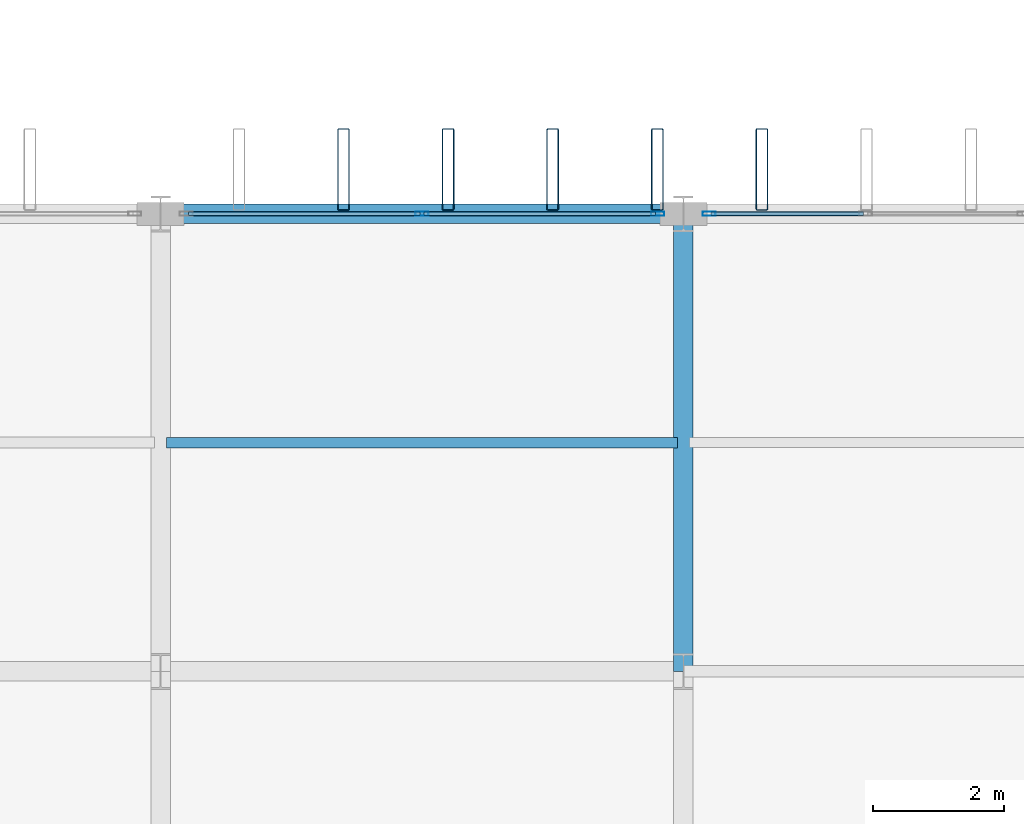
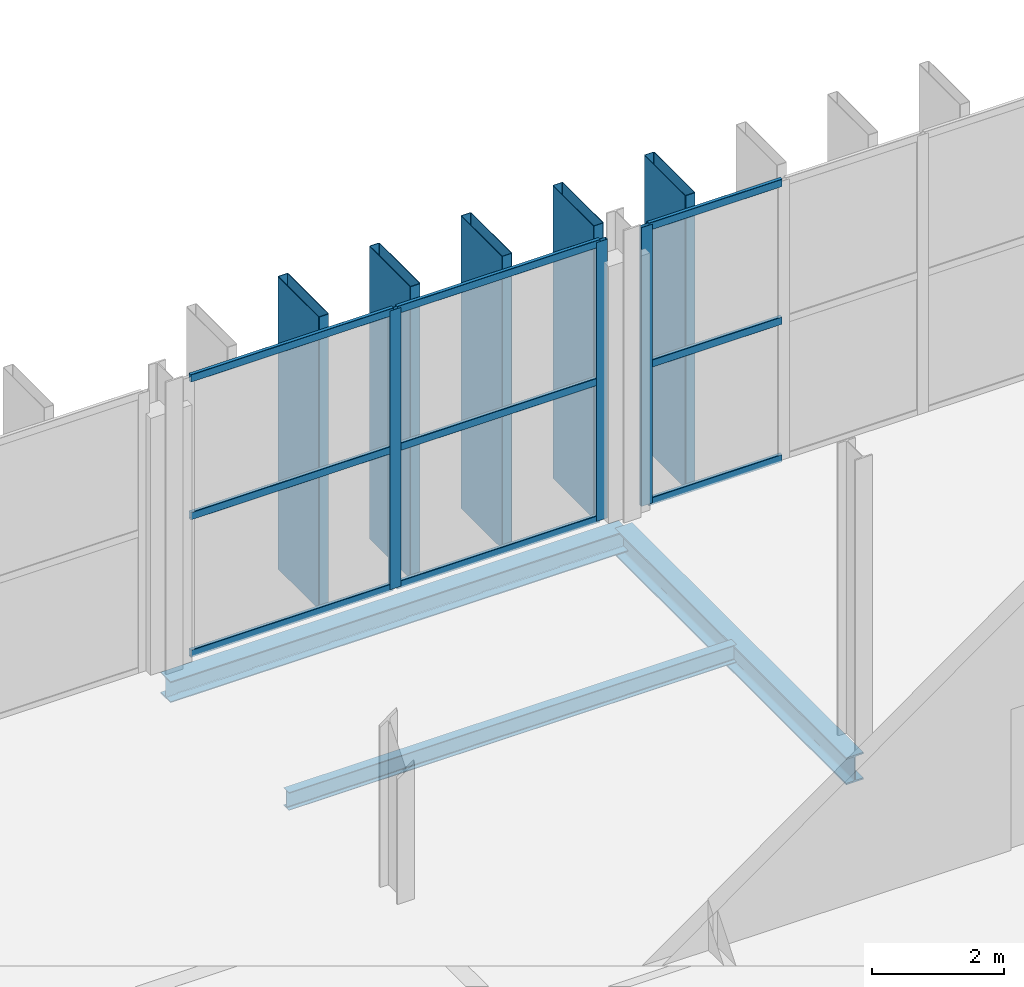
# One storey, part 63 of 147: 17 members, 3 beams, 2 elements without a shape of their own.
"""IFC4 building model written with IfcOpenShell, lengths in metres."""

from ifc_helpers import new_model, si_unit, direction, frame, origin, origin_2d, place, context, subcontext, project, spatial, hollow_rectangle, i_section, extrude, material, layer, layer_set, material_profile, profile_set, type_object, element, aggregate, save


model = new_model("IFC4")

# Units and contexts
model_context = context("Model", 3, precision=1e-05, world=origin(), true_north=direction((0.0, 1.0)))
body_context = subcontext(model_context, "Body", "Model", "MODEL_VIEW")
ifc_project = project(units=[si_unit("LENGTHUNIT", "METRE"), si_unit("AREAUNIT", "SQUARE_METRE"), si_unit("VOLUMEUNIT", "CUBIC_METRE"), si_unit("PLANEANGLEUNIT", "RADIAN"), si_unit("MASSUNIT", "GRAM", prefix="KILO")], contexts=[model_context])

# Site, building, storey
site_placement = place(None, origin())
site = spatial("IfcSite", under=ifc_project, at=site_placement, CompositionType="ELEMENT")
building_placement = place(site_placement, origin())
building = spatial("IfcBuilding", under=site, at=building_placement, Name="Vekula Escarpment Museum", CompositionType="ELEMENT")
storey_placement = place(building_placement, frame((0.0, 0.0, 7.800048828125)))
storey = spatial("IfcBuildingStorey", under=building, at=storey_placement, Name="L02", CompositionType="ELEMENT", Elevation=7.800048828125)

# Beams
ifc_material_1 = material(Name="Steel S355", Category="steel")
ifc_material_profile_1 = material_profile(ifc_material_1, i_section(OverallWidth=0.300048828125, OverallDepth=0.5, WebThickness=0.014404296875, FlangeThickness=0.028076171875, FilletRadius=0.027099609375, at=origin_2d()), Name="HEB 500")
ifc_profile_set_1 = profile_set([ifc_material_profile_1], Name="Steel S355")
beam_type_1 = type_object("IfcBeamType", Name="BM-GIRD-HEB500", PredefinedType="BEAM", material=ifc_profile_set_1)
beam_1_placement = place(storey_placement, frame((118.0, 83.39990234375, -0.510009765625), z_axis=(0.0, 1.0, 0.0), x_axis=(-1.0, 0.0, 0.0)))
element("IfcBeam", 1, at=beam_1_placement, inside=storey, type_object=beam_type_1, Name="Beam Y L02 1200", PredefinedType="BEAM", context=body_context, shape_type="SweptSolid", body=[
    extrude(i_section(OverallWidth=0.300048828125, OverallDepth=0.5, WebThickness=0.014404296875, FlangeThickness=0.028076171875, FilletRadius=0.027099609375, at=origin_2d()), origin(), (0.0, 0.0, 1.0), 7.0),
])
ifc_material_2 = material(Name="Steel S355", Category="steel")
ifc_material_profile_2 = material_profile(ifc_material_2, i_section(OverallWidth=0.159912109375, OverallDepth=0.330078125, WebThickness=0.007568359375, FlangeThickness=0.011474609375, FilletRadius=0.01806640625, at=origin_2d()), Name="IPE 330")
ifc_profile_set_2 = profile_set([ifc_material_profile_2], Name="Steel S355")
beam_type_2 = type_object("IfcBeamType", Name="BM-JST-IPE330", PredefinedType="JOIST", material=ifc_profile_set_2)
beam_2_placement = place(storey_placement, frame((110.090087890625, 86.89990234375, -0.425048828125), z_axis=(1.0, 0.0, 0.0), x_axis=(0.0, 1.0, 0.0)))
element("IfcBeam", 2, at=beam_2_placement, inside=storey, type_object=beam_type_2, Name="Secondary Joist L02 0813", PredefinedType="JOIST", context=body_context, shape_type="SweptSolid", body=[
    extrude(i_section(OverallWidth=0.159912109375, OverallDepth=0.330078125, WebThickness=0.007568359375, FlangeThickness=0.011474609375, FilletRadius=0.01806640625, at=origin_2d()), origin(), (0.0, 0.0, 1.0), 7.81982421875),
])
ifc_material_3 = material(Name="Steel S355", Category="steel")
ifc_material_profile_3 = material_profile(ifc_material_3, i_section(OverallWidth=0.300048828125, OverallDepth=0.389892578125, WebThickness=0.010986328125, FlangeThickness=0.01904296875, FilletRadius=0.027099609375, at=origin_2d()), Name="HEA 400")
ifc_profile_set_3 = profile_set([ifc_material_profile_3], Name="Steel S355")
beam_type_3 = type_object("IfcBeamType", Name="BM-SPAN-HEA400", PredefinedType="SPANDREL", material=ifc_profile_set_3)
beam_3_placement = place(storey_placement, frame((110.0, 90.39990234375, -0.455078125), z_axis=(1.0, 0.0, 0.0), x_axis=(0.0, 1.0, 0.0)))
element("IfcBeam", 3, at=beam_3_placement, inside=storey, type_object=beam_type_3, Name="Beam X L02 0955", PredefinedType="SPANDREL", context=body_context, shape_type="SweptSolid", body=[
    extrude(i_section(OverallWidth=0.300048828125, OverallDepth=0.389892578125, WebThickness=0.010986328125, FlangeThickness=0.01904296875, FilletRadius=0.027099609375, at=origin_2d()), origin(), (0.0, 0.0, 1.0), 8.0),
])

# Curtain wall, member
ifc_material_4 = material(Name="Aluminium thermally broken framing", Category="aluminium")
ifc_layer_1 = layer(ifc_material_4, 0.139892578125)
ifc_layer_set_1 = layer_set([ifc_layer_1], Name="Aluminium thermally broken framing")
curtain_wall_type_1 = type_object("IfcCurtainWallType", Name="CW-SYS-06", PredefinedType="NOTDEFINED", material=ifc_layer_set_1)
curtain_wall_1_placement = place(storey_placement, origin())
curtain_wall_1 = element("IfcCurtainWall", 4, at=curtain_wall_1_placement, inside=storey, type_object=curtain_wall_type_1, Name="Curtain Wall CW-L02-076", PredefinedType="NOTDEFINED")
ifc_material_5 = material(Name="Aluminium anodized mullion", Category="aluminium")
ifc_material_profile_4 = material_profile(ifc_material_5, hollow_rectangle(XDim=0.06494140625, YDim=0.199951171875, WallThickness=0.00390625, InnerFilletRadius=0.00390625, OuterFilletRadius=0.008056640625, at=origin_2d()), Name="ALU 200x65x4")
ifc_profile_set_4 = profile_set([ifc_material_profile_4], Name="Aluminium anodized mullion")
member_type_1 = type_object("IfcMemberType", Name="CW-MUL-200", PredefinedType="MULLION", material=ifc_profile_set_4)
member_1_placement = place(storey_placement, frame((118.392578125, 90.39990234375, 0.0), z_axis=(0.0, 0.0, 1.0), x_axis=(0.0, -1.0, 0.0)))
member_1 = element("IfcMember", 5, at=member_1_placement, type_object=member_type_1, Name="CW-06 mullion 4", PredefinedType="MULLION", context=body_context, shape_type="SweptSolid", body=[
    extrude(hollow_rectangle(XDim=0.06494140625, YDim=0.199951171875, WallThickness=0.00390625, InnerFilletRadius=0.00390625, OuterFilletRadius=0.008056640625, at=origin_2d()), origin(), (0.0, 0.0, 1.0), 5.14990234375),
])

# Curtain wall, members
ifc_material_6 = material(Name="Aluminium thermally broken framing", Category="aluminium")
ifc_layer_2 = layer(ifc_material_6, 0.179931640625)
ifc_layer_set_2 = layer_set([ifc_layer_2], Name="Aluminium thermally broken framing")
curtain_wall_type_2 = type_object("IfcCurtainWallType", Name="CW-SYS-07", PredefinedType="NOTDEFINED", material=ifc_layer_set_2)
curtain_wall_2_placement = place(storey_placement, origin())
curtain_wall_2 = element("IfcCurtainWall", 6, at=curtain_wall_2_placement, inside=storey, type_object=curtain_wall_type_2, Name="Curtain Wall CW-L02-077", PredefinedType="NOTDEFINED")
member_2_placement = place(storey_placement, frame((117.607421875, 90.39990234375, 0.0), z_axis=(0.0, 0.0, 1.0), x_axis=(0.0, -1.0, 0.0)))
member_2 = element("IfcMember", 7, at=member_2_placement, type_object=member_type_1, Name="CW-07 mullion 1", PredefinedType="MULLION", context=body_context, shape_type="SweptSolid", body=[
    extrude(hollow_rectangle(XDim=0.06494140625, YDim=0.199951171875, WallThickness=0.00390625, InnerFilletRadius=0.00390625, OuterFilletRadius=0.008056640625, at=origin_2d()), origin(), (0.0, 0.0, 1.0), 5.14990234375),
])
member_3_placement = place(storey_placement, frame((114.0, 90.39990234375, 0.0), z_axis=(0.0, 0.0, 1.0), x_axis=(0.0, -1.0, 0.0)))
member_3 = element("IfcMember", 8, at=member_3_placement, type_object=member_type_1, Name="CW-07 mullion 2", PredefinedType="MULLION", context=body_context, shape_type="SweptSolid", body=[
    extrude(hollow_rectangle(XDim=0.06494140625, YDim=0.199951171875, WallThickness=0.00390625, InnerFilletRadius=0.00390625, OuterFilletRadius=0.008056640625, at=origin_2d()), origin(), (0.0, 0.0, 1.0), 5.14990234375),
])

# Member
ifc_material_7 = material(Name="Aluminium anodized transom", Category="aluminium")
ifc_material_profile_5 = material_profile(ifc_material_7, hollow_rectangle(XDim=0.06494140625, YDim=0.139892578125, WallThickness=0.00390625, InnerFilletRadius=0.00390625, OuterFilletRadius=0.008056640625, at=origin_2d()), Name="ALU 140x65x4")
ifc_profile_set_5 = profile_set([ifc_material_profile_5], Name="Aluminium anodized transom")
member_type_2 = type_object("IfcMemberType", Name="CW-TRN-140", PredefinedType="USERDEFINED", material=ifc_profile_set_5)
member_4_placement = place(storey_placement, frame((120.754150390625, 90.39990234375, 0.032470703125), z_axis=(-1.0, 0.0, 0.0), x_axis=(0.0, -1.0, 0.0)))
member_4 = element("IfcMember", 9, at=member_4_placement, type_object=member_type_2, Name="CW-06 transom 3.1", ObjectType="TRANSOM", PredefinedType="USERDEFINED", context=body_context, shape_type="SweptSolid", body=[
    extrude(hollow_rectangle(XDim=0.06494140625, YDim=0.139892578125, WallThickness=0.00390625, InnerFilletRadius=0.00390625, OuterFilletRadius=0.008056640625, at=origin_2d()), origin(), (0.0, 0.0, 1.0), 2.3291015625),
])

member_5_placement = place(storey_placement, frame((120.754150390625, 90.39990234375, 2.574951171875), z_axis=(-1.0, 0.0, 0.0), x_axis=(0.0, -1.0, 0.0)))
member_5 = element("IfcMember", 10, at=member_5_placement, type_object=member_type_2, Name="CW-06 transom 3.2", ObjectType="TRANSOM", PredefinedType="USERDEFINED", context=body_context, shape_type="SweptSolid", body=[
    extrude(hollow_rectangle(XDim=0.06494140625, YDim=0.139892578125, WallThickness=0.00390625, InnerFilletRadius=0.00390625, OuterFilletRadius=0.008056640625, at=origin_2d()), origin(), (0.0, 0.0, 1.0), 2.3291015625),
])

member_6_placement = place(storey_placement, frame((120.754150390625, 90.39990234375, 5.117431640625), z_axis=(-1.0, 0.0, 0.0), x_axis=(0.0, -1.0, 0.0)))
member_6 = element("IfcMember", 11, at=member_6_placement, type_object=member_type_2, Name="CW-06 transom 3.3", ObjectType="TRANSOM", PredefinedType="USERDEFINED", context=body_context, shape_type="SweptSolid", body=[
    extrude(hollow_rectangle(XDim=0.06494140625, YDim=0.139892578125, WallThickness=0.00390625, InnerFilletRadius=0.00390625, OuterFilletRadius=0.008056640625, at=origin_2d()), origin(), (0.0, 0.0, 1.0), 2.3291015625),
])

aggregate(curtain_wall_1, [member_1, member_4, member_5, member_6])

member_7_placement = place(storey_placement, frame((117.574951171875, 90.39990234375, 0.032470703125), z_axis=(-1.0, 0.0, 0.0), x_axis=(0.0, -1.0, 0.0)))
member_7 = element("IfcMember", 12, at=member_7_placement, type_object=member_type_2, Name="CW-07 transom 1.1", ObjectType="TRANSOM", PredefinedType="USERDEFINED", context=body_context, shape_type="SweptSolid", body=[
    extrude(hollow_rectangle(XDim=0.06494140625, YDim=0.139892578125, WallThickness=0.00390625, InnerFilletRadius=0.00390625, OuterFilletRadius=0.008056640625, at=origin_2d()), origin(), (0.0, 0.0, 1.0), 3.54248046875),
])

member_8_placement = place(storey_placement, frame((117.574951171875, 90.39990234375, 2.574951171875), z_axis=(-1.0, 0.0, 0.0), x_axis=(0.0, -1.0, 0.0)))
member_8 = element("IfcMember", 13, at=member_8_placement, type_object=member_type_2, Name="CW-07 transom 1.2", ObjectType="TRANSOM", PredefinedType="USERDEFINED", context=body_context, shape_type="SweptSolid", body=[
    extrude(hollow_rectangle(XDim=0.06494140625, YDim=0.139892578125, WallThickness=0.00390625, InnerFilletRadius=0.00390625, OuterFilletRadius=0.008056640625, at=origin_2d()), origin(), (0.0, 0.0, 1.0), 3.54248046875),
])

member_9_placement = place(storey_placement, frame((117.574951171875, 90.39990234375, 5.117431640625), z_axis=(-1.0, 0.0, 0.0), x_axis=(0.0, -1.0, 0.0)))
member_9 = element("IfcMember", 14, at=member_9_placement, type_object=member_type_2, Name="CW-07 transom 1.3", ObjectType="TRANSOM", PredefinedType="USERDEFINED", context=body_context, shape_type="SweptSolid", body=[
    extrude(hollow_rectangle(XDim=0.06494140625, YDim=0.139892578125, WallThickness=0.00390625, InnerFilletRadius=0.00390625, OuterFilletRadius=0.008056640625, at=origin_2d()), origin(), (0.0, 0.0, 1.0), 3.54248046875),
])

member_10_placement = place(storey_placement, frame((113.967529296875, 90.39990234375, 0.032470703125), z_axis=(-1.0, 0.0, 0.0), x_axis=(0.0, -1.0, 0.0)))
member_10 = element("IfcMember", 15, at=member_10_placement, type_object=member_type_2, Name="CW-07 transom 2.1", ObjectType="TRANSOM", PredefinedType="USERDEFINED", context=body_context, shape_type="SweptSolid", body=[
    extrude(hollow_rectangle(XDim=0.06494140625, YDim=0.139892578125, WallThickness=0.00390625, InnerFilletRadius=0.00390625, OuterFilletRadius=0.008056640625, at=origin_2d()), origin(), (0.0, 0.0, 1.0), 3.54248046875),
])

member_11_placement = place(storey_placement, frame((113.967529296875, 90.39990234375, 2.574951171875), z_axis=(-1.0, 0.0, 0.0), x_axis=(0.0, -1.0, 0.0)))
member_11 = element("IfcMember", 16, at=member_11_placement, type_object=member_type_2, Name="CW-07 transom 2.2", ObjectType="TRANSOM", PredefinedType="USERDEFINED", context=body_context, shape_type="SweptSolid", body=[
    extrude(hollow_rectangle(XDim=0.06494140625, YDim=0.139892578125, WallThickness=0.00390625, InnerFilletRadius=0.00390625, OuterFilletRadius=0.008056640625, at=origin_2d()), origin(), (0.0, 0.0, 1.0), 3.54248046875),
])

member_12_placement = place(storey_placement, frame((113.967529296875, 90.39990234375, 5.117431640625), z_axis=(-1.0, 0.0, 0.0), x_axis=(0.0, -1.0, 0.0)))
member_12 = element("IfcMember", 17, at=member_12_placement, type_object=member_type_2, Name="CW-07 transom 2.3", ObjectType="TRANSOM", PredefinedType="USERDEFINED", context=body_context, shape_type="SweptSolid", body=[
    extrude(hollow_rectangle(XDim=0.06494140625, YDim=0.139892578125, WallThickness=0.00390625, InnerFilletRadius=0.00390625, OuterFilletRadius=0.008056640625, at=origin_2d()), origin(), (0.0, 0.0, 1.0), 3.54248046875),
])

aggregate(curtain_wall_2, [member_2, member_3, member_7, member_8, member_9, member_10, member_11, member_12])

# Members
ifc_material_8 = material(Name="Steel S355 weathered bronze solar fin", Category="steel")
ifc_material_profile_6 = material_profile(ifc_material_8, hollow_rectangle(XDim=0.179931640625, YDim=1.25, WallThickness=0.010009765625, InnerFilletRadius=0.010009765625, OuterFilletRadius=0.02001953125, at=origin_2d()), Name="RHS 1250x180x10")
ifc_profile_set_6 = profile_set([ifc_material_profile_6], Name="Steel S355 weathered bronze solar fin")
member_type_3 = type_object("IfcMemberType", Name="MB-SOLAR-FIN", PredefinedType="USERDEFINED", material=ifc_profile_set_6)
for number, where, z_axis, x_axis, name in (
    (18, (112.800048828125, 91.080078125, 0.0), (0.0, 0.0, 1.0), (1.0, 0.0, 0.0), "Great Hall Vertical Solar Fin 0242"),
    (19, (114.39990234375, 91.080078125, 0.0), (0.0, 0.0, 1.0), (1.0, 0.0, 0.0), "Great Hall Vertical Solar Fin 0247"),
    (20, (116.0, 91.080078125, 0.0), (0.0, 0.0, 1.0), (1.0, 0.0, 0.0), "Great Hall Vertical Solar Fin 0252"),
    (21, (117.60009765625, 91.080078125, 0.0), (0.0, 0.0, 1.0), (1.0, 0.0, 0.0), "Great Hall Vertical Solar Fin 0257"),
    (22, (119.199951171875, 91.080078125, 0.0), (0.0, 0.0, 1.0), (1.0, 0.0, 0.0), "Great Hall Vertical Solar Fin 0262"),
):
    element("IfcMember", number, at=place(storey_placement, frame(where, z_axis=z_axis, x_axis=x_axis)), inside=storey, type_object=member_type_3, Name=name, ObjectType="SOLAR FIN", PredefinedType="USERDEFINED", context=body_context, shape_type="SweptSolid", body=[
        extrude(hollow_rectangle(XDim=0.179931640625, YDim=1.25, WallThickness=0.010009765625, InnerFilletRadius=0.010009765625, OuterFilletRadius=0.02001953125, at=origin_2d()), origin(), (0.0, 0.0, 1.0), 5.39990234375),
    ])

save(model, "model.ifc")
